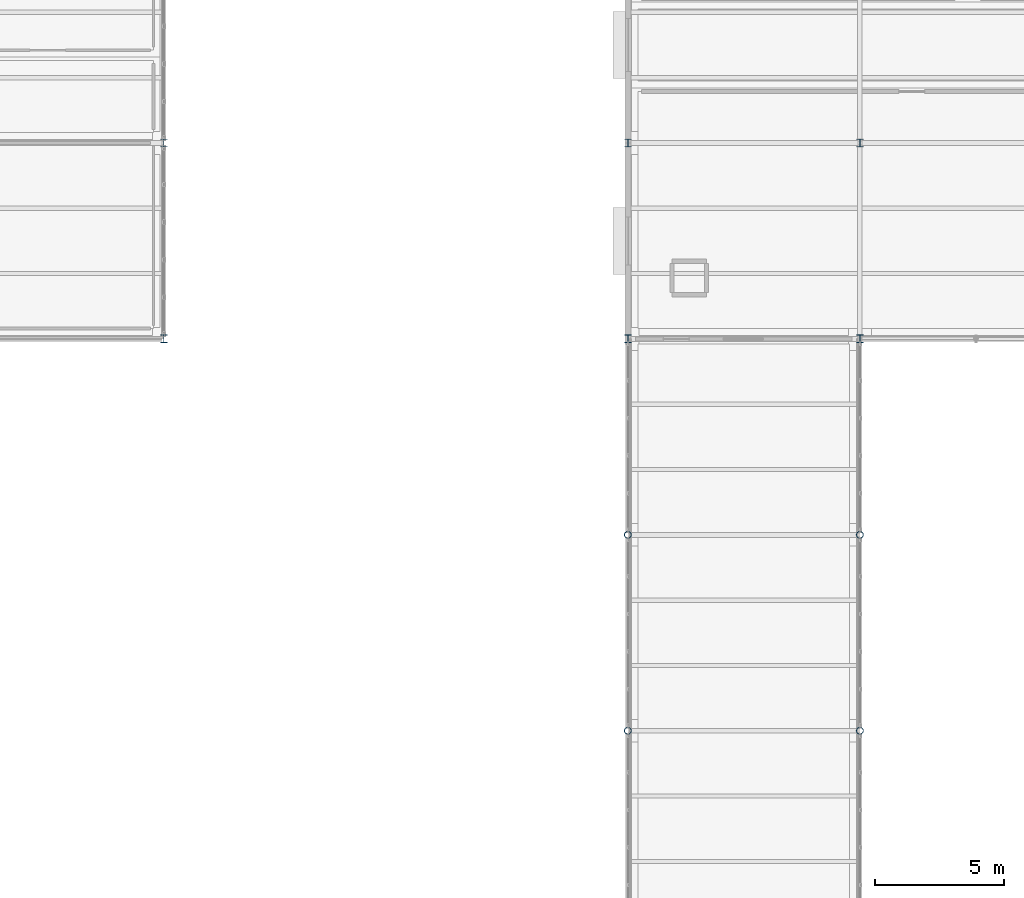
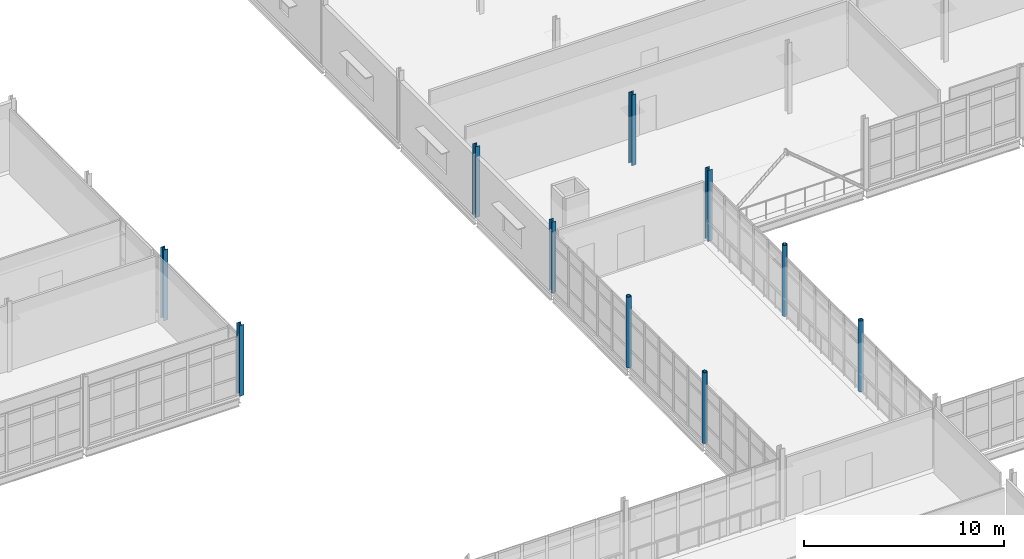
# One storey, part 15 of 174: 10 columns.
"""IFC4 building model written with IfcOpenShell, lengths in metres."""

from ifc_helpers import new_model, si_unit, direction, frame, origin, origin_2d, place, context, subcontext, project, spatial, hollow_circle, i_section, extrude, material, material_profile, profile_set, type_object, element, save


model = new_model("IFC4")

# Units and contexts
model_context = context("Model", 3, precision=1e-05, world=origin(), true_north=direction((0.0, 1.0)))
body_context = subcontext(model_context, "Body", "Model", "MODEL_VIEW")
ifc_project = project(units=[si_unit("LENGTHUNIT", "METRE"), si_unit("AREAUNIT", "SQUARE_METRE"), si_unit("VOLUMEUNIT", "CUBIC_METRE"), si_unit("PLANEANGLEUNIT", "RADIAN"), si_unit("MASSUNIT", "GRAM", prefix="KILO")], contexts=[model_context])

# Site, building, storey
site_placement = place(None, origin())
site = spatial("IfcSite", under=ifc_project, at=site_placement, CompositionType="ELEMENT")
building_placement = place(site_placement, origin())
building = spatial("IfcBuilding", under=site, at=building_placement, Name="Caisbarro Railhouse Central Library", CompositionType="ELEMENT")
storey_placement = place(building_placement, frame((0.0, 0.0, 5.0400390625)))
storey = spatial("IfcBuildingStorey", under=building, at=storey_placement, Name="L01", CompositionType="ELEMENT", Elevation=5.0400390625)

# Columns
ifc_material = material(Name="Steel ASTM A572 Grade 50", Category="steel")
ifc_material_profile_1 = material_profile(ifc_material, i_section(OverallWidth=0.25390625, OverallDepth=0.305908203125, WebThickness=0.0087890625, FlangeThickness=0.0146484375, FilletRadius=0.014892578125, at=origin_2d()), Name="W310X79.0")
ifc_profile_set_1 = profile_set([ifc_material_profile_1], Name="Steel ASTM A572 Grade 50")
column_type_1 = type_object("IfcColumnType", Name="COL-C07", PredefinedType="COLUMN", material=ifc_profile_set_1)
for number, where, z_axis, x_axis, name in (
    (1, (36.0, 83.60009765625, 0.0), (0.0, 0.0, 1.0), (1.0, 0.0, 0.0), "C07 column L01 (36.0,83.6)"),
    (2, (36.0, 91.199951171875, 0.0), (0.0, 0.0, 1.0), (1.0, 0.0, 0.0), "C07 column L01 (36.0,91.2)"),
    (3, (54.0, 83.60009765625, 0.0), (0.0, 0.0, 1.0), (1.0, 0.0, 0.0), "C07 column L01 (54.0,83.6)"),
    (4, (54.0, 91.199951171875, 0.0), (0.0, 0.0, 1.0), (1.0, 0.0, 0.0), "C07 column L01 (54.0,91.2)"),
    (5, (63.0, 83.60009765625, 0.0), (0.0, 0.0, 1.0), (1.0, 0.0, 0.0), "C07 column L01 (63.0,83.6)"),
    (6, (63.0, 91.199951171875, 0.0), (0.0, 0.0, 1.0), (1.0, 0.0, 0.0), "C07 column L01 (63.0,91.2)"),
):
    element("IfcColumn", number, at=place(storey_placement, frame(where, z_axis=z_axis, x_axis=x_axis)), inside=storey, type_object=column_type_1, Name=name, PredefinedType="COLUMN", context=body_context, shape_type="SweptSolid", body=[
        extrude(i_section(OverallWidth=0.25390625, OverallDepth=0.305908203125, WebThickness=0.0087890625, FlangeThickness=0.0146484375, FilletRadius=0.014892578125, at=origin_2d()), origin(), (0.0, 0.0, 1.0), 4.320068359375),
    ])
ifc_material_profile_2 = material_profile(ifc_material, hollow_circle(Radius=0.136474609375, WallThickness=0.012451171875, at=origin_2d()), Name="CHS273.0X12.5")
ifc_profile_set_2 = profile_set([ifc_material_profile_2], Name="Steel ASTM A572 Grade 50")
column_type_2 = type_object("IfcColumnType", Name="COL-C12", PredefinedType="COLUMN", material=ifc_profile_set_2)
for number, where, z_axis, x_axis, name in (
    (7, (54.0, 68.39990234375, 0.0), (0.0, 0.0, 1.0), (1.0, 0.0, 0.0), "C12 column L01 (54.0,68.4)"),
    (8, (54.0, 76.0, 0.0), (0.0, 0.0, 1.0), (1.0, 0.0, 0.0), "C12 column L01 (54.0,76.0)"),
    (9, (63.0, 68.39990234375, 0.0), (0.0, 0.0, 1.0), (1.0, 0.0, 0.0), "C12 column L01 (63.0,68.4)"),
    (10, (63.0, 76.0, 0.0), (0.0, 0.0, 1.0), (1.0, 0.0, 0.0), "C12 column L01 (63.0,76.0)"),
):
    element("IfcColumn", number, at=place(storey_placement, frame(where, z_axis=z_axis, x_axis=x_axis)), inside=storey, type_object=column_type_2, Name=name, PredefinedType="COLUMN", context=body_context, shape_type="SweptSolid", body=[
        extrude(hollow_circle(Radius=0.136474609375, WallThickness=0.012451171875, at=origin_2d()), origin(), (0.0, 0.0, 1.0), 4.320068359375),
    ])

save(model, "model.ifc")
